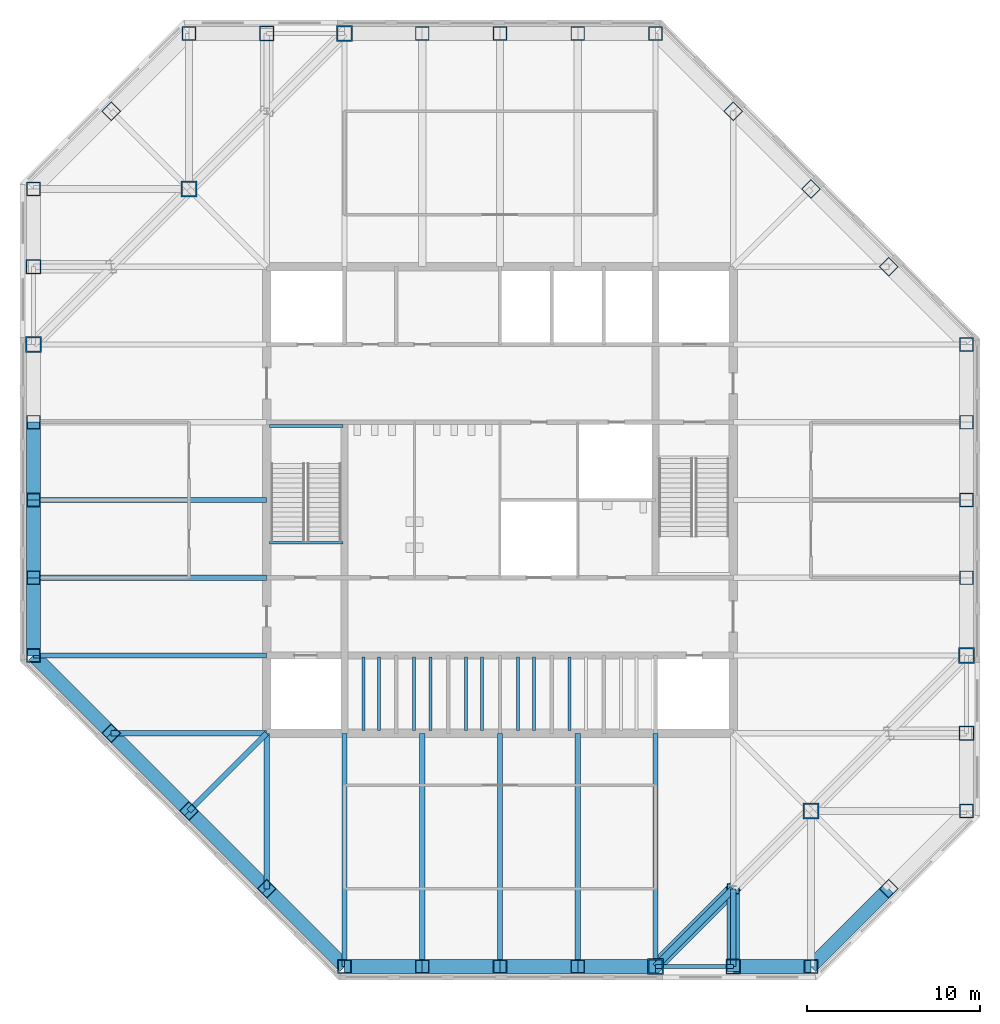
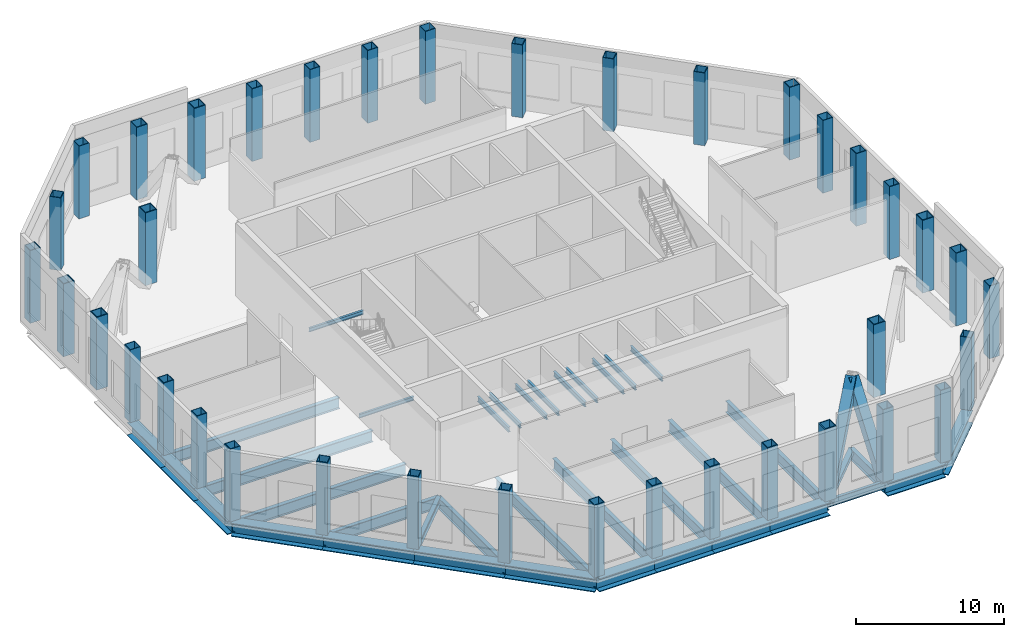
# One storey, part 1 of 10: 38 beams, 38 columns, 2 members.
"""IFC4 building model written with IfcOpenShell, lengths in metres."""

from ifc_helpers import new_model, si_unit, direction, frame, origin, origin_2d, place, context, subcontext, project, spatial, hollow_rectangle, i_section, extrude, material, material_profile, profile_set, type_object, element, save


model = new_model("IFC4")

# Units and contexts
model_context = context("Model", 3, precision=1e-05, world=origin(), true_north=direction((0.0, 1.0)))
body_context = subcontext(model_context, "Body", "Model", "MODEL_VIEW")
ifc_project = project(units=[si_unit("LENGTHUNIT", "METRE"), si_unit("AREAUNIT", "SQUARE_METRE"), si_unit("VOLUMEUNIT", "CUBIC_METRE"), si_unit("PLANEANGLEUNIT", "RADIAN"), si_unit("MASSUNIT", "GRAM", prefix="KILO")], contexts=[model_context])

# Site, building, storey
site_placement = place(None, origin())
site = spatial("IfcSite", under=ifc_project, at=site_placement, CompositionType="ELEMENT")
building_placement = place(site_placement, origin())
building = spatial("IfcBuilding", under=site, at=building_placement, Name="Corais Broadcast Tower", CompositionType="ELEMENT")
storey_placement = place(building_placement, frame((0.0, 0.0, 199.60009765625)))
storey = spatial("IfcBuildingStorey", under=building, at=storey_placement, Name="L46", CompositionType="ELEMENT", Elevation=199.60009765625)

# Columns
ifc_material_1 = material(Name="Steel ASTM A572 Grade 50", Category="steel")
ifc_material_profile_1 = material_profile(ifc_material_1, hollow_rectangle(XDim=0.800048828125, YDim=0.800048828125, WallThickness=0.044921875, at=origin_2d()), Name="BOX 800x800x45")
ifc_profile_set_1 = profile_set([ifc_material_profile_1], Name="Steel ASTM A572 Grade 50")
column_type_1 = type_object("IfcColumnType", Name="Column BOX 800x800x45", PredefinedType="COLUMN", material=ifc_profile_set_1)
for number, where, z_axis, x_axis, name in (
    (1, (18.0, 0.0, 0.0), (0.0, 0.0, 1.0), (1.0, 0.0, 0.0), "C3 A/7"),
    (2, (22.5, 0.0, 0.0), (0.0, 0.0, 1.0), (1.0, 0.0, 0.0), "C3 A/8"),
    (3, (27.0, 0.0, 0.0), (0.0, 0.0, 1.0), (1.0, 0.0, 0.0), "C3 A/9"),
    (4, (31.5, 0.0, 0.0), (0.0, 0.0, 1.0), (1.0, 0.0, 0.0), "C3 A/10"),
    (5, (45.0, 0.0, 0.0), (0.0, 0.0, 1.0), (1.0, 0.0, 0.0), "C3 A/13"),
    (6, (54.0, 9.0, 0.0), (0.0, 0.0, 1.0), (1.0, 0.0, 0.0), "C3 C/15"),
    (7, (54.0, 22.5, 0.0), (0.0, 0.0, 1.0), (1.0, 0.0, 0.0), "C3 F/15"),
    (8, (54.0, 27.0, 0.0), (0.0, 0.0, 1.0), (1.0, 0.0, 0.0), "C3 G/15"),
    (9, (54.0, 31.5, 0.0), (0.0, 0.0, 1.0), (1.0, 0.0, 0.0), "C3 H/15"),
    (10, (54.0, 36.0, 0.0), (0.0, 0.0, 1.0), (1.0, 0.0, 0.0), "C3 J/15"),
    (11, (36.0, 54.0, 0.0), (0.0, 0.0, 1.0), (1.0, 0.0, 0.0), "C3 N/11"),
    (12, (31.5, 54.0, 0.0), (0.0, 0.0, 1.0), (1.0, 0.0, 0.0), "C3 N/10"),
    (13, (27.0, 54.0, 0.0), (0.0, 0.0, 1.0), (1.0, 0.0, 0.0), "C3 N/9"),
    (14, (22.5, 54.0, 0.0), (0.0, 0.0, 1.0), (1.0, 0.0, 0.0), "C3 N/8"),
    (15, (9.0, 54.0, 0.0), (0.0, 0.0, 1.0), (1.0, 0.0, 0.0), "C3 N/5"),
    (16, (0.0, 45.0, 0.0), (0.0, 0.0, 1.0), (1.0, 0.0, 0.0), "C3 L/3"),
    (17, (0.0, 31.5, 0.0), (0.0, 0.0, 1.0), (1.0, 0.0, 0.0), "C3 H/3"),
    (18, (0.0, 27.0, 0.0), (0.0, 0.0, 1.0), (1.0, 0.0, 0.0), "C3 G/3"),
    (19, (0.0, 22.5, 0.0), (0.0, 0.0, 1.0), (1.0, 0.0, 0.0), "C3 F/3"),
    (20, (0.0, 18.0, 0.0), (0.0, 0.0, 1.0), (1.0, 0.0, 0.0), "C3 E/3"),
    (21, (13.5, 4.5, 0.0), (0.0, 0.0, 1.0), (0.707106781187, 0.707106781187, 0.0), "C3 B/6"),
    (22, (9.0, 9.0, 0.0), (0.0, 0.0, 1.0), (0.707106781187, 0.707106781187, 0.0), "C3 C/5"),
    (23, (4.5, 13.5, 0.0), (0.0, 0.0, 1.0), (0.707106781187, 0.707106781187, 0.0), "C3 D/4"),
    (24, (49.5, 4.5, 0.0), (0.0, 0.0, 1.0), (0.707106781187, 0.707106781187, 0.0), "C3 B/14"),
    (25, (49.5, 40.5, 0.0), (0.0, 0.0, 1.0), (0.707106781187, 0.707106781187, 0.0), "C3 K/14"),
    (26, (45.0, 45.0, 0.0), (0.0, 0.0, 1.0), (0.707106781187, 0.707106781187, 0.0), "C3 L/13"),
    (27, (40.5, 49.5, 0.0), (0.0, 0.0, 1.0), (0.707106781187, 0.707106781187, 0.0), "C3 M/12"),
    (28, (4.5, 49.5, 0.0), (0.0, 0.0, 1.0), (0.707106781187, 0.707106781187, 0.0), "C3 M/4"),
):
    element("IfcColumn", number, at=place(storey_placement, frame(where, z_axis=z_axis, x_axis=x_axis)), inside=storey, type_object=column_type_1, Name=name, PredefinedType="COLUMN", context=body_context, shape_type="SweptSolid", body=[
        extrude(hollow_rectangle(XDim=0.800048828125, YDim=0.800048828125, WallThickness=0.044921875, at=origin_2d()), origin(), (0.0, 0.0, 1.0), 6.0),
    ])
ifc_material_2 = material(Name="Steel ASTM A572 Grade 50", Category="steel")
ifc_material_profile_2 = material_profile(ifc_material_2, hollow_rectangle(XDim=0.85009765625, YDim=0.85009765625, WallThickness=0.050048828125, at=origin_2d()), Name="BOX 850x850x50")
ifc_profile_set_2 = profile_set([ifc_material_profile_2], Name="Steel ASTM A572 Grade 50")
column_type_2 = type_object("IfcColumnType", Name="Column BOX 850x850x50", PredefinedType="COLUMN", material=ifc_profile_set_2)
for number, where, z_axis, x_axis, name in (
    (29, (40.5, 0.0, 0.0), (0.0, 0.0, 1.0), (1.0, 0.0, 0.0), "C1 A/12"),
    (30, (54.0, 13.5, 0.0), (0.0, 0.0, 1.0), (1.0, 0.0, 0.0), "C1 D/15"),
    (31, (13.5, 54.0, 0.0), (0.0, 0.0, 1.0), (1.0, 0.0, 0.0), "C1 N/6"),
    (32, (0.0, 40.5, 0.0), (0.0, 0.0, 1.0), (1.0, 0.0, 0.0), "C1 K/3"),
):
    element("IfcColumn", number, at=place(storey_placement, frame(where, z_axis=z_axis, x_axis=x_axis)), inside=storey, type_object=column_type_2, Name=name, PredefinedType="COLUMN", context=body_context, shape_type="SweptSolid", body=[
        extrude(hollow_rectangle(XDim=0.85009765625, YDim=0.85009765625, WallThickness=0.050048828125, at=origin_2d()), origin(), (0.0, 0.0, 1.0), 6.0),
    ])
ifc_material_3 = material(Name="Steel ASTM A572 Grade 50", Category="steel")
ifc_material_profile_3 = material_profile(ifc_material_3, hollow_rectangle(XDim=0.89990234375, YDim=0.89990234375, WallThickness=0.06298828125, at=origin_2d()), Name="BOX 900x900x63")
ifc_profile_set_3 = profile_set([ifc_material_profile_3], Name="Steel ASTM A572 Grade 50")
column_type_3 = type_object("IfcColumnType", Name="Column BOX 900x900x63", PredefinedType="COLUMN", material=ifc_profile_set_3)
for number, where, z_axis, x_axis, name in (
    (33, (36.0, 0.0, 0.0), (0.0, 0.0, 1.0), (1.0, 0.0, 0.0), "C2 A/11"),
    (34, (54.0, 18.0, 0.0), (0.0, 0.0, 1.0), (1.0, 0.0, 0.0), "C2 E/15"),
    (35, (18.0, 54.0, 0.0), (0.0, 0.0, 1.0), (1.0, 0.0, 0.0), "C2 N/7"),
    (36, (0.0, 36.0, 0.0), (0.0, 0.0, 1.0), (1.0, 0.0, 0.0), "C2 J/3"),
    (37, (45.0, 9.0, 0.0), (0.0, 0.0, 1.0), (1.0, 0.0, 0.0), "C2 C/13"),
    (38, (9.0, 45.0, 0.0), (0.0, 0.0, 1.0), (1.0, 0.0, 0.0), "C2 L/5"),
):
    element("IfcColumn", number, at=place(storey_placement, frame(where, z_axis=z_axis, x_axis=x_axis)), inside=storey, type_object=column_type_3, Name=name, PredefinedType="COLUMN", context=body_context, shape_type="SweptSolid", body=[
        extrude(hollow_rectangle(XDim=0.89990234375, YDim=0.89990234375, WallThickness=0.06298828125, at=origin_2d()), origin(), (0.0, 0.0, 1.0), 6.0),
    ])

# Beams
ifc_material_4 = material(Name="Steel ASTM A572 Grade 50", Category="steel")
ifc_material_profile_4 = material_profile(ifc_material_4, i_section(OverallWidth=0.323974609375, OverallDepth=0.611083984375, WebThickness=0.0126953125, FlangeThickness=0.01904296875, at=origin_2d()), Name="W610x155")
ifc_profile_set_4 = profile_set([ifc_material_profile_4], Name="Steel ASTM A572 Grade 50")
beam_type_1 = type_object("IfcBeamType", Name="Corner diagonal W610x155", PredefinedType="BEAM", material=ifc_profile_set_4)
beam_1_placement = place(storey_placement, frame((9.0, 9.0, -0.505615234375), z_axis=(0.707106781187, 0.707106781187, 0.0), x_axis=(-0.707106781187, 0.707106781187, 0.0)))
element("IfcBeam", 39, at=beam_1_placement, inside=storey, type_object=beam_type_1, Name="B6 C/5 to D/6", PredefinedType="BEAM", context=body_context, shape_type="SweptSolid", body=[
    extrude(i_section(OverallWidth=0.323974609375, OverallDepth=0.611083984375, WebThickness=0.0126953125, FlangeThickness=0.01904296875, at=origin_2d()), origin(), (0.0, 0.0, 1.0), 6.364013671875),
])
ifc_material_5 = material(Name="Steel ASTM A572 Grade 50", Category="steel")
ifc_material_profile_5 = material_profile(ifc_material_5, i_section(OverallWidth=0.1650390625, OverallDepth=0.31005859375, WebThickness=0.005859375, FlangeThickness=0.009765625, at=origin_2d()), Name="W310x38.7")
ifc_profile_set_5 = profile_set([ifc_material_profile_5], Name="Steel ASTM A572 Grade 50")
beam_type_2 = type_object("IfcBeamType", Name="Landing trimmer W310x38.7", PredefinedType="BEAM", material=ifc_profile_set_5)
for number, where, z_axis, x_axis, name in (
    (40, (13.64990234375, 24.52490234375, -0.35498046875), (1.0, 0.0, 0.0), (0.0, 1.0, 0.0), "LT1 stair A landing trimmer L46"),
    (41, (13.64990234375, 31.284912109375, 2.64501953125), (1.0, 0.0, 0.0), (0.0, 1.0, 0.0), "LT1 stair A half landing trimmer L46"),
):
    element("IfcBeam", number, at=place(storey_placement, frame(where, z_axis=z_axis, x_axis=x_axis)), inside=storey, type_object=beam_type_2, Name=name, PredefinedType="BEAM", context=body_context, shape_type="SweptSolid", body=[
        extrude(i_section(OverallWidth=0.1650390625, OverallDepth=0.31005859375, WebThickness=0.005859375, FlangeThickness=0.009765625, at=origin_2d()), origin(), (0.0, 0.0, 1.0), 4.25),
    ])
ifc_material_6 = material(Name="Steel ASTM A572 Grade 50", Category="steel")
ifc_material_profile_6 = material_profile(ifc_material_6, i_section(OverallWidth=0.22900390625, OverallDepth=0.612060546875, WebThickness=0.011962890625, FlangeThickness=0.01953125, at=origin_2d()), Name="W610x125")
ifc_profile_set_6 = profile_set([ifc_material_profile_6], Name="Steel ASTM A572 Grade 50")
beam_type_3 = type_object("IfcBeamType", Name="Pinned spandrel W610x125", PredefinedType="BEAM", material=ifc_profile_set_6)
beam_2_placement = place(storey_placement, frame((36.0, 0.0, -0.506103515625), z_axis=(1.0, 0.0, 0.0), x_axis=(0.0, 1.0, 0.0)))
element("IfcBeam", 42, at=beam_2_placement, inside=storey, type_object=beam_type_3, Name="SB7 A/11 to A/12", PredefinedType="BEAM", context=body_context, shape_type="SweptSolid", body=[
    extrude(i_section(OverallWidth=0.22900390625, OverallDepth=0.612060546875, WebThickness=0.011962890625, FlangeThickness=0.01953125, at=origin_2d()), origin(), (0.0, 0.0, 1.0), 4.5),
])
ifc_material_7 = material(Name="Steel ASTM A572 Grade 50", Category="steel")
ifc_material_profile_7 = material_profile(ifc_material_7, i_section(OverallWidth=0.177978515625, OverallDepth=0.406982421875, WebThickness=0.0078125, FlangeThickness=0.0126953125, at=origin_2d()), Name="W410x60")
ifc_profile_set_7 = profile_set([ifc_material_profile_7], Name="Steel ASTM A572 Grade 50")
beam_type_4 = type_object("IfcBeamType", Name="Pit beam W410x60", PredefinedType="BEAM", material=ifc_profile_set_7)
for number, where, z_axis, x_axis, name in (
    (43, (19.10009765625, 13.64990234375, 3.1962890625), (0.0, 1.0, 0.0), (-1.0, 0.0, 0.0), "B15 lift pit beam D/7 +1100 +250"),
    (44, (20.0, 13.64990234375, 3.1962890625), (0.0, 1.0, 0.0), (-1.0, 0.0, 0.0), "B15 lift pit beam D/7 +2000 +250"),
    (45, (22.033203125, 13.64990234375, 3.1962890625), (0.0, 1.0, 0.0), (-1.0, 0.0, 0.0), "B15 lift pit beam D/8 -467 +250"),
    (46, (22.966796875, 13.64990234375, 3.1962890625), (0.0, 1.0, 0.0), (-1.0, 0.0, 0.0), "B15 lift pit beam D/8 +467 +250"),
    (47, (25.033203125, 13.64990234375, 3.1962890625), (0.0, 1.0, 0.0), (-1.0, 0.0, 0.0), "B15 lift pit beam D/9 -1967 +250"),
    (48, (25.966796875, 13.64990234375, 3.1962890625), (0.0, 1.0, 0.0), (-1.0, 0.0, 0.0), "B15 lift pit beam D/9 -1033 +250"),
    (49, (28.033203125, 13.64990234375, 3.1962890625), (0.0, 1.0, 0.0), (-1.0, 0.0, 0.0), "B15 lift pit beam D/9 +1033 +250"),
    (50, (28.966796875, 13.64990234375, 3.1962890625), (0.0, 1.0, 0.0), (-1.0, 0.0, 0.0), "B15 lift pit beam D/9 +1967 +250"),
    (51, (31.033203125, 13.64990234375, 3.1962890625), (0.0, 1.0, 0.0), (-1.0, 0.0, 0.0), "B15 lift pit beam D/10 -467 +250"),
):
    element("IfcBeam", number, at=place(storey_placement, frame(where, z_axis=z_axis, x_axis=x_axis)), inside=storey, type_object=beam_type_4, Name=name, PredefinedType="BEAM", context=body_context, shape_type="SweptSolid", body=[
        extrude(i_section(OverallWidth=0.177978515625, OverallDepth=0.406982421875, WebThickness=0.0078125, FlangeThickness=0.0126953125, at=origin_2d()), origin(), (0.0, 0.0, 1.0), 4.25),
    ])
ifc_material_8 = material(Name="Steel ASTM A572 Grade 50", Category="steel")
ifc_material_profile_8 = material_profile(ifc_material_8, i_section(OverallWidth=0.30908203125, OverallDepth=0.931884765625, WebThickness=0.02099609375, FlangeThickness=0.034423828125, at=origin_2d()), Name="W920x313")
ifc_profile_set_8 = profile_set([ifc_material_profile_8], Name="Steel ASTM A572 Grade 50")
beam_type_5 = type_object("IfcBeamType", Name="Plant floor beam W920x313", PredefinedType="BEAM", material=ifc_profile_set_8)
for number, where, z_axis, x_axis, name in (
    (52, (0.0, 18.0, -0.666015625), (1.0, 0.0, 0.0), (0.0, 1.0, 0.0), "B17 E/3 to E/6"),
    (53, (0.0, 22.5, -0.666015625), (1.0, 0.0, 0.0), (0.0, 1.0, 0.0), "B17 F/3 to F/6"),
    (54, (0.0, 27.0, -0.666015625), (1.0, 0.0, 0.0), (0.0, 1.0, 0.0), "B17 G/3 to G/6"),
):
    element("IfcBeam", number, at=place(storey_placement, frame(where, z_axis=z_axis, x_axis=x_axis)), inside=storey, type_object=beam_type_5, Name=name, PredefinedType="BEAM", context=body_context, shape_type="SweptSolid", body=[
        extrude(i_section(OverallWidth=0.30908203125, OverallDepth=0.931884765625, WebThickness=0.02099609375, FlangeThickness=0.034423828125, at=origin_2d()), origin(), (0.0, 0.0, 1.0), 13.5),
    ])
beam_3_placement = place(storey_placement, frame((13.5, 4.5, -0.666015625), z_axis=(0.0, 1.0, 0.0), x_axis=(-1.0, 0.0, 0.0)))
element("IfcBeam", 55, at=beam_3_placement, inside=storey, type_object=beam_type_5, Name="B17 B/6 to D/6", PredefinedType="BEAM", context=body_context, shape_type="SweptSolid", body=[
    extrude(i_section(OverallWidth=0.30908203125, OverallDepth=0.931884765625, WebThickness=0.02099609375, FlangeThickness=0.034423828125, at=origin_2d()), origin(), (0.0, 0.0, 1.0), 9.0),
])
for number, where, z_axis, x_axis, name in (
    (56, (18.0, 0.0, -0.666015625), (0.0, 1.0, 0.0), (-1.0, 0.0, 0.0), "B17 A/7 to D/7"),
    (57, (22.5, 0.0, -0.666015625), (0.0, 1.0, 0.0), (-1.0, 0.0, 0.0), "B17 A/8 to D/8"),
    (58, (27.0, 0.0, -0.666015625), (0.0, 1.0, 0.0), (-1.0, 0.0, 0.0), "B17 A/9 to D/9"),
    (59, (31.5, 0.0, -0.666015625), (0.0, 1.0, 0.0), (-1.0, 0.0, 0.0), "B17 A/10 to D/10"),
    (60, (36.0, 0.0, -0.666015625), (0.0, 1.0, 0.0), (-1.0, 0.0, 0.0), "B17 A/11 to D/11"),
):
    element("IfcBeam", number, at=place(storey_placement, frame(where, z_axis=z_axis, x_axis=x_axis)), inside=storey, type_object=beam_type_5, Name=name, PredefinedType="BEAM", context=body_context, shape_type="SweptSolid", body=[
        extrude(i_section(OverallWidth=0.30908203125, OverallDepth=0.931884765625, WebThickness=0.02099609375, FlangeThickness=0.034423828125, at=origin_2d()), origin(), (0.0, 0.0, 1.0), 13.5),
    ])
beam_4_placement = place(storey_placement, frame((4.5, 13.5, -0.666015625), z_axis=(1.0, 0.0, 0.0), x_axis=(0.0, 1.0, 0.0)))
element("IfcBeam", 61, at=beam_4_placement, inside=storey, type_object=beam_type_5, Name="B17 D/4 to D/6", PredefinedType="BEAM", context=body_context, shape_type="SweptSolid", body=[
    extrude(i_section(OverallWidth=0.30908203125, OverallDepth=0.931884765625, WebThickness=0.02099609375, FlangeThickness=0.034423828125, at=origin_2d()), origin(), (0.0, 0.0, 1.0), 9.0),
])
beam_5_placement = place(storey_placement, frame((40.5, 0.0, -0.666015625), z_axis=(0.0, 1.0, 0.0), x_axis=(-1.0, 0.0, 0.0)))
element("IfcBeam", 62, at=beam_5_placement, inside=storey, type_object=beam_type_5, Name="B17 A/12 to B/12", PredefinedType="BEAM", context=body_context, shape_type="SweptSolid", body=[
    extrude(i_section(OverallWidth=0.30908203125, OverallDepth=0.931884765625, WebThickness=0.02099609375, FlangeThickness=0.034423828125, at=origin_2d()), origin(), (0.0, 0.0, 1.0), 4.5),
])
ifc_material_9 = material(Name="Steel ASTM A572 Grade 50", Category="steel")
ifc_material_profile_9 = material_profile(ifc_material_9, i_section(OverallWidth=0.40087890625, OverallDepth=0.386962890625, WebThickness=0.02099609375, FlangeThickness=0.033203125, at=origin_2d()), Name="W360x262")
ifc_profile_set_9 = profile_set([ifc_material_profile_9], Name="Steel ASTM A572 Grade 50")
beam_type_6 = type_object("IfcBeamType", Name="Transfer chord W360x262", PredefinedType="BEAM", material=ifc_profile_set_9)
beam_6_placement = place(storey_placement, frame((36.0, 0.0, -0.3935546875), z_axis=(0.707106781187, 0.707106781187, 0.0), x_axis=(-0.707106781187, 0.707106781187, 0.0)))
element("IfcBeam", 63, at=beam_6_placement, inside=storey, type_object=beam_type_6, Name="TC1 A/11 to B/12", PredefinedType="BEAM", context=body_context, shape_type="SweptSolid", body=[
    extrude(i_section(OverallWidth=0.40087890625, OverallDepth=0.386962890625, WebThickness=0.02099609375, FlangeThickness=0.033203125, at=origin_2d()), origin(), (0.0, 0.0, 1.0), 6.364013671875),
])
ifc_material_10 = material(Name="Steel ASTM A572 Grade 50", Category="steel")
ifc_material_profile_10 = material_profile(ifc_material_10, i_section(OverallWidth=0.800048828125, OverallDepth=1.10009765625, WebThickness=0.030029296875, FlangeThickness=0.070068359375, at=origin_2d()), Name="PG1100x1105")
ifc_profile_set_10 = profile_set([ifc_material_profile_10], Name="Steel ASTM A572 Grade 50")
beam_type_7 = type_object("IfcBeamType", Name="Transfer spandrel PG1100x1105", PredefinedType="BEAM", material=ifc_profile_set_10)
beam_7_placement = place(storey_placement, frame((0.0, 18.0, -0.75), z_axis=(0.707106781187, -0.707106781187, 0.0), x_axis=(0.707106781187, 0.707106781187, 0.0)))
element("IfcBeam", 64, at=beam_7_placement, inside=storey, type_object=beam_type_7, Name="SB8 E/3 to D/4", PredefinedType="BEAM", context=body_context, shape_type="SweptSolid", body=[
    extrude(i_section(OverallWidth=0.800048828125, OverallDepth=1.10009765625, WebThickness=0.030029296875, FlangeThickness=0.070068359375, at=origin_2d()), origin(), (0.0, 0.0, 1.0), 6.364013671875),
])
for number, where, z_axis, x_axis, name in (
    (65, (0.0, 22.5, -0.75), (0.0, -1.0, 0.0), (1.0, 0.0, 0.0), "SB8 F/3 to E/3"),
    (66, (0.0, 27.0, -0.75), (0.0, -1.0, 0.0), (1.0, 0.0, 0.0), "SB8 G/3 to F/3"),
    (67, (0.0, 31.5, -0.75), (0.0, -1.0, 0.0), (1.0, 0.0, 0.0), "SB8 H/3 to G/3"),
):
    element("IfcBeam", number, at=place(storey_placement, frame(where, z_axis=z_axis, x_axis=x_axis)), inside=storey, type_object=beam_type_7, Name=name, PredefinedType="BEAM", context=body_context, shape_type="SweptSolid", body=[
        extrude(i_section(OverallWidth=0.800048828125, OverallDepth=1.10009765625, WebThickness=0.030029296875, FlangeThickness=0.070068359375, at=origin_2d()), origin(), (0.0, 0.0, 1.0), 4.5),
    ])
beam_8_placement = place(storey_placement, frame((13.5, 4.5, -0.75), z_axis=(0.707106781187, -0.707106781187, 0.0), x_axis=(0.707106781187, 0.707106781187, 0.0)))
element("IfcBeam", 68, at=beam_8_placement, inside=storey, type_object=beam_type_7, Name="SB8 B/6 to A/7", PredefinedType="BEAM", context=body_context, shape_type="SweptSolid", body=[
    extrude(i_section(OverallWidth=0.800048828125, OverallDepth=1.10009765625, WebThickness=0.030029296875, FlangeThickness=0.070068359375, at=origin_2d()), origin(), (0.0, 0.0, 1.0), 6.364013671875),
])
for number, where, z_axis, x_axis, name in (
    (69, (18.0, 0.0, -0.75), (1.0, 0.0, 0.0), (0.0, 1.0, 0.0), "SB8 A/7 to A/8"),
    (70, (22.5, 0.0, -0.75), (1.0, 0.0, 0.0), (0.0, 1.0, 0.0), "SB8 A/8 to A/9"),
    (71, (27.0, 0.0, -0.75), (1.0, 0.0, 0.0), (0.0, 1.0, 0.0), "SB8 A/9 to A/10"),
    (72, (31.5, 0.0, -0.75), (1.0, 0.0, 0.0), (0.0, 1.0, 0.0), "SB8 A/10 to A/11"),
):
    element("IfcBeam", number, at=place(storey_placement, frame(where, z_axis=z_axis, x_axis=x_axis)), inside=storey, type_object=beam_type_7, Name=name, PredefinedType="BEAM", context=body_context, shape_type="SweptSolid", body=[
        extrude(i_section(OverallWidth=0.800048828125, OverallDepth=1.10009765625, WebThickness=0.030029296875, FlangeThickness=0.070068359375, at=origin_2d()), origin(), (0.0, 0.0, 1.0), 4.5),
    ])
beam_9_placement = place(storey_placement, frame((4.5, 13.5, -0.75), z_axis=(0.707106781187, -0.707106781187, 0.0), x_axis=(0.707106781187, 0.707106781187, 0.0)))
element("IfcBeam", 73, at=beam_9_placement, inside=storey, type_object=beam_type_7, Name="SB8 D/4 to C/5", PredefinedType="BEAM", context=body_context, shape_type="SweptSolid", body=[
    extrude(i_section(OverallWidth=0.800048828125, OverallDepth=1.10009765625, WebThickness=0.030029296875, FlangeThickness=0.070068359375, at=origin_2d()), origin(), (0.0, 0.0, 1.0), 6.364013671875),
])
beam_10_placement = place(storey_placement, frame((40.5, 0.0, -0.75), z_axis=(1.0, 0.0, 0.0), x_axis=(0.0, 1.0, 0.0)))
element("IfcBeam", 74, at=beam_10_placement, inside=storey, type_object=beam_type_7, Name="SB8 A/12 to A/13", PredefinedType="BEAM", context=body_context, shape_type="SweptSolid", body=[
    extrude(i_section(OverallWidth=0.800048828125, OverallDepth=1.10009765625, WebThickness=0.030029296875, FlangeThickness=0.070068359375, at=origin_2d()), origin(), (0.0, 0.0, 1.0), 4.5),
])
for number, where, z_axis, x_axis, name in (
    (75, (45.0, 0.0, -0.75), (0.707106781187, 0.707106781187, 0.0), (-0.707106781187, 0.707106781187, 0.0), "SB8 A/13 to B/14"),
    (76, (9.0, 9.0, -0.75), (0.707106781187, -0.707106781187, 0.0), (0.707106781187, 0.707106781187, 0.0), "SB8 C/5 to B/6"),
):
    element("IfcBeam", number, at=place(storey_placement, frame(where, z_axis=z_axis, x_axis=x_axis)), inside=storey, type_object=beam_type_7, Name=name, PredefinedType="BEAM", context=body_context, shape_type="SweptSolid", body=[
        extrude(i_section(OverallWidth=0.800048828125, OverallDepth=1.10009765625, WebThickness=0.030029296875, FlangeThickness=0.070068359375, at=origin_2d()), origin(), (0.0, 0.0, 1.0), 6.364013671875),
    ])

# Members
ifc_material_11 = material(Name="Steel ASTM A572 Grade 50", Category="steel")
ifc_material_profile_11 = material_profile(ifc_material_11, hollow_rectangle(XDim=0.75, YDim=0.75, WallThickness=0.0400390625, at=origin_2d()), Name="BOX 750x750x40")
ifc_profile_set_11 = profile_set([ifc_material_profile_11], Name="Steel ASTM A572 Grade 50")
member_type = type_object("IfcMemberType", Name="Transfer truss diagonal BOX 750x750x40", PredefinedType="BRACE", material=ifc_profile_set_11)
member_1_placement = place(storey_placement, frame((36.0, 0.0, -0.3935546875), z_axis=(0.51368847143, 0.51368847143, 0.687203251331), x_axis=(-0.707106781187, 0.707106781187, 0.0)))
element("IfcMember", 77, at=member_1_placement, inside=storey, type_object=member_type, Name="TD1 transfer truss diagonal SE", PredefinedType="BRACE", context=body_context, shape_type="SweptSolid", body=[
    extrude(hollow_rectangle(XDim=0.75, YDim=0.75, WallThickness=0.0400390625, at=origin_2d()), origin(), (0.0, 0.0, 1.0), 8.76025390625),
])
member_2_placement = place(storey_placement, frame((40.5, 0.0, -0.3935546875), z_axis=(0.0, 0.598720715582, 0.800957867015), x_axis=(-1.0, 0.0, 0.0)))
element("IfcMember", 78, at=member_2_placement, inside=storey, type_object=member_type, Name="TD1 transfer truss diagonal SE", PredefinedType="BRACE", context=body_context, shape_type="SweptSolid", body=[
    extrude(hollow_rectangle(XDim=0.75, YDim=0.75, WallThickness=0.0400390625, at=origin_2d()), origin(), (0.0, 0.0, 1.0), 7.51611328125),
])

save(model, "model.ifc")
